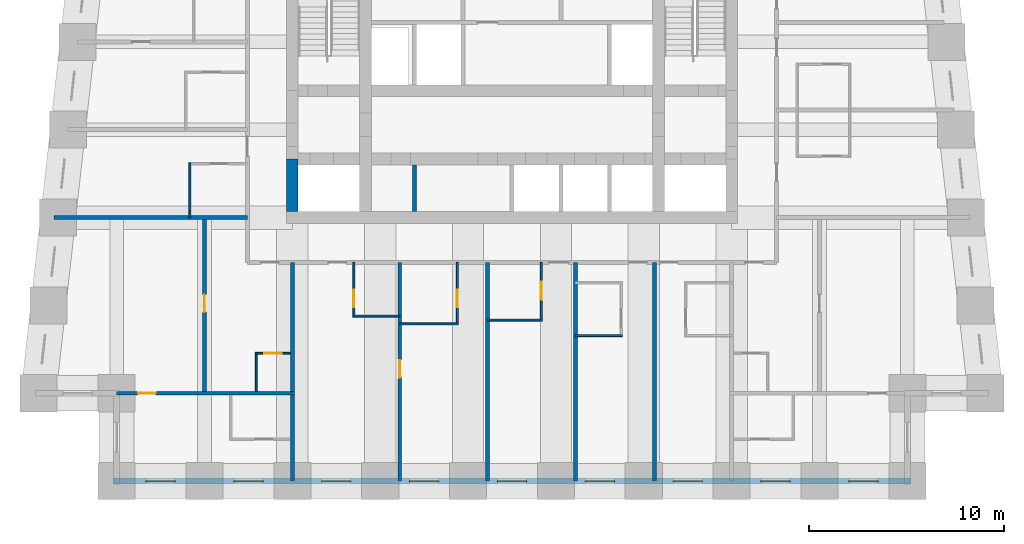
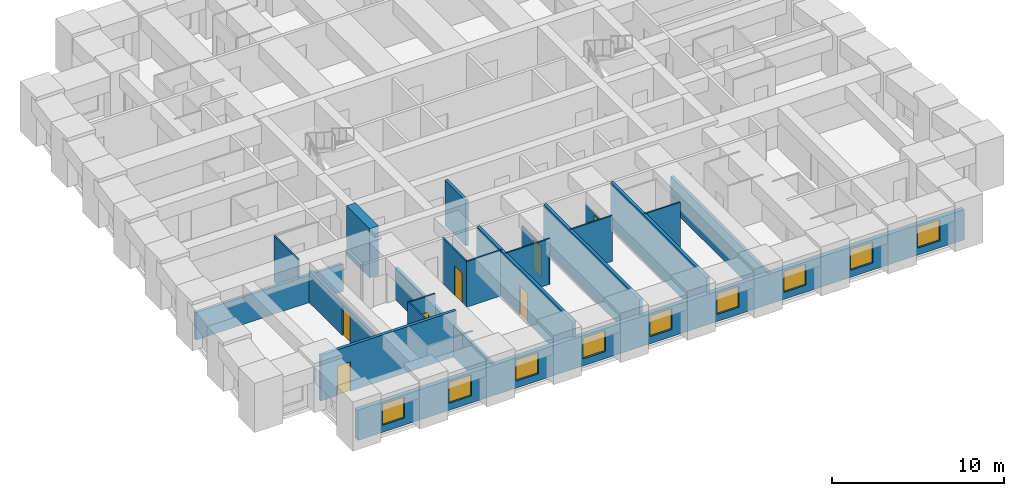
# One storey, part 2 of 8: 21 walls, 9 windows, 7 doors, 16 openings.
"""IFC4 building model written with IfcOpenShell, lengths in metres."""

from ifc_helpers import new_model, si_unit, direction, frame, frame_2d, origin, place, context, subcontext, project, spatial, rectangle, extrude, material, layer, layer_set, type_object, element, fill, save


model = new_model("IFC4")

# Units and contexts
model_context = context("Model", 3, precision=1e-05, world=origin(), true_north=direction((0.0, 1.0)))
body_context = subcontext(model_context, "Body", "Model", "MODEL_VIEW")
ifc_project = project(units=[si_unit("LENGTHUNIT", "METRE"), si_unit("AREAUNIT", "SQUARE_METRE"), si_unit("VOLUMEUNIT", "CUBIC_METRE"), si_unit("PLANEANGLEUNIT", "RADIAN"), si_unit("MASSUNIT", "GRAM", prefix="KILO")], contexts=[model_context])

# Site, building, storey
site_placement = place(None, origin())
site = spatial("IfcSite", under=ifc_project, at=site_placement, CompositionType="ELEMENT")
building_placement = place(site_placement, origin())
building = spatial("IfcBuilding", under=site, at=building_placement, Name="Kilele Tower Hotel", CompositionType="ELEMENT")
storey_placement = place(building_placement, frame((0.0, 0.0, 128.39990234375)))
storey = spatial("IfcBuildingStorey", under=building, at=storey_placement, Name="L33", CompositionType="ELEMENT", Elevation=128.39990234375)

# Wall
ifc_material_1 = material(Name="Moisture-resistant board")
ifc_layer_1 = layer(ifc_material_1, 0.10009765625)
ifc_layer_set_1 = layer_set([ifc_layer_1], Name="Moisture-resistant board")
wall_type_1 = type_object("IfcWallType", Name="Bathroom partition 100", PredefinedType="PLUMBINGWALL", material=ifc_layer_set_1)
wall_1_placement = place(storey_placement, frame((16.60009765625, 8.449951171875, 0.0), z_axis=(0.0, 0.0, 1.0), x_axis=(1.0, 0.0, 0.0)))
element("IfcWall", 1, at=wall_1_placement, inside=storey, type_object=wall_type_1, Name="Bathroom partition 100 L33", PredefinedType="PLUMBINGWALL", context=body_context, shape_type="SweptSolid", body=[
    extrude(rectangle(XDim=2.39990234375, YDim=0.10009765625, at=frame_2d((1.199951171875, 0.0))), origin(), (0.0, 0.0, 1.0), 3.25),
])

# Wall, opening, door
wall_2_placement = place(storey_placement, frame((16.64990234375, 11.199951171875, 0.0), z_axis=(0.0, 0.0, 1.0), x_axis=(0.0, -1.0, 0.0)))
wall_2 = element("IfcWall", 2, at=wall_2_placement, inside=storey, type_object=wall_type_1, Name="Bathroom partition 100 L33", PredefinedType="PLUMBINGWALL", context=body_context, shape_type="SweptSolid", body=[
    extrude(rectangle(XDim=2.800048828125, YDim=0.10009765625, at=frame_2d((1.39990234375, 0.0))), origin(), (0.0, 0.0, 1.0), 3.25),
])
opening_1_placement = place(wall_2_placement, frame((2.2998046875, 0.0, 0.0), z_axis=(0.0, 0.0, 1.0), x_axis=(-1.0, 0.0, 0.0)))
opening_1 = element("IfcOpeningElement", 3, at=opening_1_placement, cuts=wall_2, Name="Opening D2A", PredefinedType="OPENING", context=body_context, shape_type="SweptSolid", body=[
    extrude(rectangle(XDim=0.89990234375, YDim=2.10009765625, at=frame_2d((0.449951171875, 1.050048828125))), frame((0.0, 0.06005859375, 0.0), z_axis=(0.0, -1.0, 0.0), x_axis=(1.0, 0.0, 0.0)), (0.0, 0.0, 1.0), 0.1201171875),
])
ifc_material_2 = material(Name="Timber door leaf in hardwood frame", Category="wood")
door_type_1 = type_object("IfcDoorType", Name="Bathroom door 900", OperationType="SINGLE_SWING_LEFT", PredefinedType="DOOR", material=ifc_material_2)
door_1_placement = place(opening_1_placement, origin())
door_1 = element("IfcDoor", 4, at=door_1_placement, inside=storey, type_object=door_type_1, Name="Bathroom door 3301B", OperationType="SINGLE_SWING_RIGHT", OverallHeight=2.10009765625, OverallWidth=0.89990234375, PredefinedType="DOOR", context=body_context, shape_type="SweptSolid", body=[
    extrude(rectangle(XDim=0.89990234375, YDim=2.10009765625, at=frame_2d((0.449951171875, 1.050048828125))), frame((0.0, 0.02490234375, 0.0), z_axis=(0.0, -1.0, 0.0), x_axis=(1.0, 0.0, 0.0)), (0.0, 0.0, 1.0), 0.050048828125),
])
fill(opening_1, door_1)

# Wall
wall_3_placement = place(storey_placement, frame((19.0, 8.050048828125, 0.0), z_axis=(0.0, 0.0, 1.0), x_axis=(1.0, 0.0, 0.0)))
element("IfcWall", 5, at=wall_3_placement, inside=storey, type_object=wall_type_1, Name="Bathroom partition 100 L33", PredefinedType="PLUMBINGWALL", context=body_context, shape_type="SweptSolid", body=[
    extrude(rectangle(XDim=3.0, YDim=0.10009765625, at=frame_2d((1.5, 0.0))), origin(), (0.0, 0.0, 1.0), 3.25),
])

# Wall, opening, door
wall_4_placement = place(storey_placement, frame((21.949951171875, 11.199951171875, 0.0), z_axis=(0.0, 0.0, 1.0), x_axis=(0.0, -1.0, 0.0)))
wall_4 = element("IfcWall", 6, at=wall_4_placement, inside=storey, type_object=wall_type_1, Name="Bathroom partition 100 L33", PredefinedType="PLUMBINGWALL", context=body_context, shape_type="SweptSolid", body=[
    extrude(rectangle(XDim=3.199951171875, YDim=0.10009765625, at=frame_2d((1.60009765625, 0.0))), origin(), (0.0, 0.0, 1.0), 2.25),
])
opening_2_placement = place(wall_4_placement, frame((1.39990234375, 0.0, 0.0)))
opening_2 = element("IfcOpeningElement", 7, at=opening_2_placement, cuts=wall_4, Name="Opening D2A", PredefinedType="OPENING", context=body_context, shape_type="SweptSolid", body=[
    extrude(rectangle(XDim=0.89990234375, YDim=2.10009765625, at=frame_2d((0.449951171875, 1.050048828125))), frame((0.0, 0.06005859375, 0.0), z_axis=(0.0, -1.0, 0.0), x_axis=(1.0, 0.0, 0.0)), (0.0, 0.0, 1.0), 0.1201171875),
])
door_2_placement = place(opening_2_placement, origin())
door_2 = element("IfcDoor", 8, at=door_2_placement, inside=storey, type_object=door_type_1, Name="Bathroom door 3302B", OperationType="SINGLE_SWING_LEFT", OverallHeight=2.10009765625, OverallWidth=0.89990234375, PredefinedType="DOOR", context=body_context, shape_type="SweptSolid", body=[
    extrude(rectangle(XDim=0.89990234375, YDim=2.10009765625, at=frame_2d((0.449951171875, 1.050048828125))), frame((0.0, 0.02490234375, 0.0), z_axis=(0.0, -1.0, 0.0), x_axis=(1.0, 0.0, 0.0)), (0.0, 0.0, 1.0), 0.050048828125),
])
fill(opening_2, door_2)

# Wall
wall_5_placement = place(storey_placement, frame((23.5, 8.25, 0.0), z_axis=(0.0, 0.0, 1.0), x_axis=(1.0, 0.0, 0.0)))
element("IfcWall", 9, at=wall_5_placement, inside=storey, type_object=wall_type_1, Name="Bathroom partition 100 L33", PredefinedType="PLUMBINGWALL", context=body_context, shape_type="SweptSolid", body=[
    extrude(rectangle(XDim=2.800048828125, YDim=0.10009765625, at=frame_2d((1.39990234375, 0.0))), origin(), (0.0, 0.0, 1.0), 3.25),
])

# Wall, opening, door
wall_6_placement = place(storey_placement, frame((26.25, 11.199951171875, 0.0), z_axis=(0.0, 0.0, 1.0), x_axis=(0.0, -1.0, 0.0)))
wall_6 = element("IfcWall", 10, at=wall_6_placement, inside=storey, type_object=wall_type_1, Name="Bathroom partition 100 L33", PredefinedType="PLUMBINGWALL", context=body_context, shape_type="SweptSolid", body=[
    extrude(rectangle(XDim=3.0, YDim=0.10009765625, at=frame_2d((1.5, 0.0))), origin(), (0.0, 0.0, 1.0), 2.25),
])
opening_3_placement = place(wall_6_placement, frame((1.0, 0.0, 0.0)))
opening_3 = element("IfcOpeningElement", 11, at=opening_3_placement, cuts=wall_6, Name="Opening D2A", PredefinedType="OPENING", context=body_context, shape_type="SweptSolid", body=[
    extrude(rectangle(XDim=0.89990234375, YDim=2.10009765625, at=frame_2d((0.449951171875, 1.050048828125))), frame((0.0, 0.06005859375, 0.0), z_axis=(0.0, -1.0, 0.0), x_axis=(1.0, 0.0, 0.0)), (0.0, 0.0, 1.0), 0.1201171875),
])
door_3_placement = place(opening_3_placement, origin())
door_3 = element("IfcDoor", 12, at=door_3_placement, inside=storey, type_object=door_type_1, Name="Bathroom door 3303B", OperationType="SINGLE_SWING_LEFT", OverallHeight=2.10009765625, OverallWidth=0.89990234375, PredefinedType="DOOR", context=body_context, shape_type="SweptSolid", body=[
    extrude(rectangle(XDim=0.89990234375, YDim=2.10009765625, at=frame_2d((0.449951171875, 1.050048828125))), frame((0.0, 0.02490234375, 0.0), z_axis=(0.0, -1.0, 0.0), x_axis=(1.0, 0.0, 0.0)), (0.0, 0.0, 1.0), 0.050048828125),
])
fill(opening_3, door_3)

# Walls
wall_7_placement = place(storey_placement, frame((28.0, 7.449951171875, 0.0), z_axis=(0.0, 0.0, 1.0), x_axis=(1.0, 0.0, 0.0)))
element("IfcWall", 13, at=wall_7_placement, inside=storey, type_object=wall_type_1, Name="Bathroom partition 100 L33", PredefinedType="PLUMBINGWALL", context=body_context, shape_type="SweptSolid", body=[
    extrude(rectangle(XDim=2.39990234375, YDim=0.10009765625, at=frame_2d((1.199951171875, 0.0))), origin(), (0.0, 0.0, 1.0), 3.25),
])
wall_8_placement = place(storey_placement, frame((8.25, 13.5, 0.0), z_axis=(0.0, 0.0, 1.0), x_axis=(0.0, 1.0, 0.0)))
element("IfcWall", 14, at=wall_8_placement, inside=storey, type_object=wall_type_1, Name="Bathroom partition 100 L33", PredefinedType="PLUMBINGWALL", context=body_context, shape_type="SweptSolid", body=[
    extrude(rectangle(XDim=2.800048828125, YDim=0.10009765625, at=frame_2d((1.39990234375, 0.0))), origin(), (0.0, 0.0, 1.0), 3.25),
])
wall_9_placement = place(storey_placement, frame((11.64990234375, 4.60009765625, 0.0), z_axis=(0.0, 0.0, 1.0), x_axis=(0.0, 1.0, 0.0)))
element("IfcWall", 15, at=wall_9_placement, inside=storey, type_object=wall_type_1, Name="Bathroom partition 100 L33", PredefinedType="PLUMBINGWALL", context=body_context, shape_type="SweptSolid", body=[
    extrude(rectangle(XDim=2.0, YDim=0.10009765625, at=frame_2d((1.0, 0.0))), origin(), (0.0, 0.0, 1.0), 3.25),
])

# Wall, opening, door
wall_10_placement = place(storey_placement, frame((13.39990234375, 6.550048828125, 0.0), z_axis=(0.0, 0.0, 1.0), x_axis=(-1.0, 0.0, 0.0)))
wall_10 = element("IfcWall", 16, at=wall_10_placement, inside=storey, type_object=wall_type_1, Name="Bathroom partition 100 L33", PredefinedType="PLUMBINGWALL", context=body_context, shape_type="SweptSolid", body=[
    extrude(rectangle(XDim=1.7998046875, YDim=0.10009765625, at=frame_2d((0.89990234375, 0.0))), origin(), (0.0, 0.0, 1.0), 3.25),
])
opening_4_placement = place(wall_10_placement, frame((1.349853515625, 0.0, 0.0), z_axis=(0.0, 0.0, 1.0), x_axis=(-1.0, 0.0, 0.0)))
opening_4 = element("IfcOpeningElement", 17, at=opening_4_placement, cuts=wall_10, Name="Opening D2A", PredefinedType="OPENING", context=body_context, shape_type="SweptSolid", body=[
    extrude(rectangle(XDim=0.89990234375, YDim=2.10009765625, at=frame_2d((0.449951171875, 1.050048828125))), frame((0.0, 0.06005859375, 0.0), z_axis=(0.0, -1.0, 0.0), x_axis=(1.0, 0.0, 0.0)), (0.0, 0.0, 1.0), 0.1201171875),
])
door_4_placement = place(opening_4_placement, origin())
door_4 = element("IfcDoor", 18, at=door_4_placement, inside=storey, type_object=door_type_1, Name="Bathroom door 3317P", OperationType="SINGLE_SWING_RIGHT", OverallHeight=2.10009765625, OverallWidth=0.89990234375, PredefinedType="DOOR", context=body_context, shape_type="SweptSolid", body=[
    extrude(rectangle(XDim=0.89990234375, YDim=2.10009765625, at=frame_2d((0.449951171875, 1.050048828125))), frame((0.0, 0.02490234375, 0.0), z_axis=(0.0, -1.0, 0.0), x_axis=(1.0, 0.0, 0.0)), (0.0, 0.0, 1.0), 0.050048828125),
])
fill(opening_4, door_4)

# Wall
ifc_material_3 = material(Name="Concrete C60/75", Category="concrete")
ifc_layer_2 = layer(ifc_material_3, 0.60009765625)
ifc_layer_set_2 = layer_set([ifc_layer_2], Name="Concrete C60/75")
wall_type_2 = type_object("IfcWallType", Name="Core wall 600 C60/75", PredefinedType="SHEAR", material=ifc_layer_set_2)
wall_11_placement = place(storey_placement, frame((13.5, 16.5, 0.0), z_axis=(0.0, 0.0, 1.0), x_axis=(0.0, -1.0, 0.0)))
element("IfcWall", 19, at=wall_11_placement, inside=storey, type_object=wall_type_2, Name="Core wall W3 L33", PredefinedType="SHEAR", context=body_context, shape_type="SweptSolid", body=[
    extrude(rectangle(XDim=2.699951171875, YDim=0.60009765625, at=frame_2d((1.35009765625, 0.0))), origin(), (0.0, 0.0, 1.0), 3.5),
])

# Wall, opening, door
ifc_material_4 = material(Name="Blockwork, plastered both sides", Category="masonry")
ifc_layer_3 = layer(ifc_material_4, 0.199951171875)
ifc_layer_set_3 = layer_set([ifc_layer_3], Name="Blockwork, plastered both sides")
wall_type_3 = type_object("IfcWallType", Name="Partition wall 200", PredefinedType="PARTITIONING", material=ifc_layer_set_3)
wall_12_placement = place(storey_placement, frame((9.0, 4.60009765625, 0.0), z_axis=(0.0, 0.0, 1.0), x_axis=(0.0, 1.0, 0.0)))
wall_12 = element("IfcWall", 20, at=wall_12_placement, inside=storey, type_object=wall_type_3, Name="Partition wall 200 L33", PredefinedType="PARTITIONING", context=body_context, shape_type="SweptSolid", body=[
    extrude(rectangle(XDim=8.7998046875, YDim=0.199951171875, at=frame_2d((4.39990234375, 0.0))), origin(), (0.0, 0.0, 1.0), 2.25),
])
opening_5_placement = place(wall_12_placement, frame((4.050048828125, 0.0, 0.0)))
opening_5 = element("IfcOpeningElement", 21, at=opening_5_placement, cuts=wall_12, Name="Opening D3", PredefinedType="OPENING", context=body_context, shape_type="SweptSolid", body=[
    extrude(rectangle(XDim=0.89990234375, YDim=2.10009765625, at=frame_2d((0.449951171875, 1.050048828125))), frame((0.0, 0.10986328125, 0.0), z_axis=(0.0, -1.0, 0.0), x_axis=(1.0, 0.0, 0.0)), (0.0, 0.0, 1.0), 0.219970703125),
])
ifc_material_5 = material(Name="Timber door leaf in hardwood frame", Category="wood")
door_type_2 = type_object("IfcDoorType", Name="Suite internal door 900", OperationType="SINGLE_SWING_LEFT", PredefinedType="DOOR", material=ifc_material_5)
door_5_placement = place(opening_5_placement, origin())
door_5 = element("IfcDoor", 22, at=door_5_placement, inside=storey, type_object=door_type_2, Name="Suite door 3318", OperationType="SINGLE_SWING_RIGHT", OverallHeight=2.10009765625, OverallWidth=0.89990234375, PredefinedType="DOOR", context=body_context, shape_type="SweptSolid", body=[
    extrude(rectangle(XDim=0.89990234375, YDim=2.10009765625, at=frame_2d((0.449951171875, 1.050048828125))), frame((0.0, 0.02490234375, 0.0), z_axis=(0.0, -1.0, 0.0), x_axis=(1.0, 0.0, 0.0)), (0.0, 0.0, 1.0), 0.050048828125),
])
fill(opening_5, door_5)

ifc_material_6 = material(Name="Blockwork, plastered both sides", Category="masonry")
ifc_layer_4 = layer(ifc_material_6, 0.199951171875)
ifc_layer_set_4 = layer_set([ifc_layer_4], Name="Blockwork, plastered both sides")
wall_type_4 = type_object("IfcWallType", Name="Party wall 200", PredefinedType="PARTITIONING", material=ifc_layer_set_4)
wall_13_placement = place(storey_placement, frame((19.0, 11.199951171875, 0.0), z_axis=(0.0, 0.0, 1.0), x_axis=(0.0, -1.0, 0.0)))
wall_13 = element("IfcWall", 23, at=wall_13_placement, inside=storey, type_object=wall_type_4, Name="Party wall 200 L33", PredefinedType="PARTITIONING", context=body_context, shape_type="SweptSolid", body=[
    extrude(rectangle(XDim=11.199951171875, YDim=0.199951171875, at=frame_2d((5.60009765625, 0.0))), origin(), (0.0, 0.0, 1.0), 3.25),
])
opening_6_placement = place(wall_13_placement, frame((5.0, 0.0, 0.0)))
opening_6 = element("IfcOpeningElement", 24, at=opening_6_placement, cuts=wall_13, Name="Opening D3", PredefinedType="OPENING", context=body_context, shape_type="SweptSolid", body=[
    extrude(rectangle(XDim=0.89990234375, YDim=2.10009765625, at=frame_2d((0.449951171875, 1.050048828125))), frame((0.0, 0.10986328125, 0.0), z_axis=(0.0, -1.0, 0.0), x_axis=(1.0, 0.0, 0.0)), (0.0, 0.0, 1.0), 0.219970703125),
])
door_6_placement = place(opening_6_placement, origin())
door_6 = element("IfcDoor", 25, at=door_6_placement, inside=storey, type_object=door_type_2, Name="Suite door 3302", OperationType="SINGLE_SWING_LEFT", OverallHeight=2.10009765625, OverallWidth=0.89990234375, PredefinedType="DOOR", context=body_context, shape_type="SweptSolid", body=[
    extrude(rectangle(XDim=0.89990234375, YDim=2.10009765625, at=frame_2d((0.449951171875, 1.050048828125))), frame((0.0, 0.02490234375, 0.0), z_axis=(0.0, -1.0, 0.0), x_axis=(1.0, 0.0, 0.0)), (0.0, 0.0, 1.0), 0.050048828125),
])
fill(opening_6, door_6)

# Walls
for number, where, z_axis, x_axis, name in (
    (26, (23.5, 11.199951171875, 0.0), (0.0, 0.0, 1.0), (0.0, -1.0, 0.0), "Party wall 200 L33"),
    (27, (28.0, 11.199951171875, 0.0), (0.0, 0.0, 1.0), (0.0, -1.0, 0.0), "Party wall 200 L33"),
):
    element("IfcWall", number, at=place(storey_placement, frame(where, z_axis=z_axis, x_axis=x_axis)), inside=storey, type_object=wall_type_4, Name=name, PredefinedType="PARTITIONING", context=body_context, shape_type="SweptSolid", body=[
        extrude(rectangle(XDim=11.199951171875, YDim=0.199951171875, at=frame_2d((5.60009765625, 0.0))), origin(), (0.0, 0.0, 1.0), 3.25),
    ])
wall_14_placement = place(storey_placement, frame((32.050048828125, 11.199951171875, 0.0), z_axis=(0.0, 0.0, 1.0), x_axis=(0.0, -1.0, 0.0)))
element("IfcWall", 28, at=wall_14_placement, inside=storey, type_object=wall_type_4, Name="Party wall 200 L33", PredefinedType="PARTITIONING", context=body_context, shape_type="SweptSolid", body=[
    extrude(rectangle(XDim=11.199951171875, YDim=0.199951171875, at=frame_2d((5.60009765625, 0.0))), origin(), (0.0, 0.0, 1.0), 2.25),
])
wall_15_placement = place(storey_placement, frame((11.199951171875, 13.5, 0.0), z_axis=(0.0, 0.0, 1.0), x_axis=(-1.0, 0.0, 0.0)))
element("IfcWall", 29, at=wall_15_placement, inside=storey, type_object=wall_type_4, Name="Party wall 200 L33", PredefinedType="PARTITIONING", context=body_context, shape_type="SweptSolid", body=[
    extrude(rectangle(XDim=9.921142578125, YDim=0.199951171875, at=frame_2d((4.96044921875, 0.0))), origin(), (0.0, 0.0, 1.0), 1.9501953125),
])
wall_16_placement = place(storey_placement, frame((13.5, 11.199951171875, 0.0), z_axis=(0.0, 0.0, 1.0), x_axis=(0.0, -1.0, 0.0)))
element("IfcWall", 30, at=wall_16_placement, inside=storey, type_object=wall_type_4, Name="Party wall 200 L33", PredefinedType="PARTITIONING", context=body_context, shape_type="SweptSolid", body=[
    extrude(rectangle(XDim=11.199951171875, YDim=0.199951171875, at=frame_2d((5.60009765625, 0.0))), origin(), (0.0, 0.0, 1.0), 2.25),
])

# Wall, opening, door
wall_17_placement = place(storey_placement, frame((13.60009765625, 4.5, 0.0), z_axis=(0.0, 0.0, 1.0), x_axis=(-1.0, 0.0, 0.0)))
wall_17 = element("IfcWall", 31, at=wall_17_placement, inside=storey, type_object=wall_type_4, Name="Party wall 200 L33", PredefinedType="PARTITIONING", context=body_context, shape_type="SweptSolid", body=[
    extrude(rectangle(XDim=9.10009765625, YDim=0.199951171875, at=frame_2d((4.550048828125, 0.0))), origin(), (0.0, 0.0, 1.0), 3.25),
])
opening_7_placement = place(wall_17_placement, frame((7.10009765625, 0.0, 0.0)))
opening_7 = element("IfcOpeningElement", 32, at=opening_7_placement, cuts=wall_17, Name="Opening D3", PredefinedType="OPENING", context=body_context, shape_type="SweptSolid", body=[
    extrude(rectangle(XDim=0.89990234375, YDim=2.10009765625, at=frame_2d((0.449951171875, 1.050048828125))), frame((0.0, 0.10986328125, 0.0), z_axis=(0.0, -1.0, 0.0), x_axis=(1.0, 0.0, 0.0)), (0.0, 0.0, 1.0), 0.219970703125),
])
door_7_placement = place(opening_7_placement, origin())
door_7 = element("IfcDoor", 33, at=door_7_placement, inside=storey, type_object=door_type_2, Name="Suite door 3319", OperationType="SINGLE_SWING_RIGHT", OverallHeight=2.10009765625, OverallWidth=0.89990234375, PredefinedType="DOOR", context=body_context, shape_type="SweptSolid", body=[
    extrude(rectangle(XDim=0.89990234375, YDim=2.10009765625, at=frame_2d((0.449951171875, 1.050048828125))), frame((0.0, 0.02490234375, 0.0), z_axis=(0.0, -1.0, 0.0), x_axis=(1.0, 0.0, 0.0)), (0.0, 0.0, 1.0), 0.050048828125),
])
fill(opening_7, door_7)

# Wall, openings, windows
ifc_material_7 = material(Name="Concrete C40/50 precast", Category="concrete")
ifc_layer_5 = layer(ifc_material_7, 0.260009765625, Name="Precast backing", Category="LoadBearing")
ifc_material_8 = material(Name="Reconstituted stone finish", Category="masonry")
ifc_layer_6 = layer(ifc_material_8, 0.0400390625, Name="Face mix", Category="Finish")
ifc_layer_set_5 = layer_set([ifc_layer_5, ifc_layer_6], Name="Precast concrete C40/50, reconstituted stone finish")
wall_type_5 = type_object("IfcWallType", Name="Precast stone facade wall 300", PredefinedType="STANDARD", material=ifc_layer_set_5)
wall_18_placement = place(storey_placement, frame((4.35009765625, 0.0, 0.0), z_axis=(0.0, 0.0, 1.0), x_axis=(1.0, 0.0, 0.0)))
wall_18 = element("IfcWall", 34, at=wall_18_placement, inside=storey, type_object=wall_type_5, Name="Facade wall L33 edge 3", PredefinedType="STANDARD", context=body_context, shape_type="SweptSolid", body=[
    extrude(rectangle(XDim=40.7998046875, YDim=0.300048828125, at=frame_2d((20.39990234375, 0.0))), origin(), (0.0, 0.0, 1.0), 2.150146484375),
])
opening_8_placement = place(wall_18_placement, frame((1.64990234375, 0.0, 0.5)))
opening_8 = element("IfcOpeningElement", 35, at=opening_8_placement, cuts=wall_18, Name="Opening W2", PredefinedType="OPENING", context=body_context, shape_type="SweptSolid", body=[
    extrude(rectangle(XDim=1.5, YDim=1.5, at=frame_2d((0.75, 0.75))), frame((0.0, 0.159912109375, 0.0), z_axis=(0.0, -1.0, 0.0), x_axis=(1.0, 0.0, 0.0)), (0.0, 0.0, 1.0), 0.320068359375),
])
opening_9_placement = place(wall_18_placement, frame((6.14990234375, 0.0, 0.5)))
opening_9 = element("IfcOpeningElement", 36, at=opening_9_placement, cuts=wall_18, Name="Opening W2", PredefinedType="OPENING", context=body_context, shape_type="SweptSolid", body=[
    extrude(rectangle(XDim=1.5, YDim=1.5, at=frame_2d((0.75, 0.75))), frame((0.0, 0.159912109375, 0.0), z_axis=(0.0, -1.0, 0.0), x_axis=(1.0, 0.0, 0.0)), (0.0, 0.0, 1.0), 0.320068359375),
])
opening_10_placement = place(wall_18_placement, frame((10.64990234375, 0.0, 0.5)))
opening_10 = element("IfcOpeningElement", 37, at=opening_10_placement, cuts=wall_18, Name="Opening W2", PredefinedType="OPENING", context=body_context, shape_type="SweptSolid", body=[
    extrude(rectangle(XDim=1.5, YDim=1.5, at=frame_2d((0.75, 0.75))), frame((0.0, 0.159912109375, 0.0), z_axis=(0.0, -1.0, 0.0), x_axis=(1.0, 0.0, 0.0)), (0.0, 0.0, 1.0), 0.320068359375),
])
opening_11_placement = place(wall_18_placement, frame((15.14990234375, 0.0, 0.5)))
opening_11 = element("IfcOpeningElement", 38, at=opening_11_placement, cuts=wall_18, Name="Opening W2", PredefinedType="OPENING", context=body_context, shape_type="SweptSolid", body=[
    extrude(rectangle(XDim=1.5, YDim=1.5, at=frame_2d((0.75, 0.75))), frame((0.0, 0.159912109375, 0.0), z_axis=(0.0, -1.0, 0.0), x_axis=(1.0, 0.0, 0.0)), (0.0, 0.0, 1.0), 0.320068359375),
])
opening_12_placement = place(wall_18_placement, frame((19.64990234375, 0.0, 0.5)))
opening_12 = element("IfcOpeningElement", 39, at=opening_12_placement, cuts=wall_18, Name="Opening W2", PredefinedType="OPENING", context=body_context, shape_type="SweptSolid", body=[
    extrude(rectangle(XDim=1.5, YDim=1.5, at=frame_2d((0.75, 0.75))), frame((0.0, 0.159912109375, 0.0), z_axis=(0.0, -1.0, 0.0), x_axis=(1.0, 0.0, 0.0)), (0.0, 0.0, 1.0), 0.320068359375),
])
opening_13_placement = place(wall_18_placement, frame((24.14990234375, 0.0, 0.5)))
opening_13 = element("IfcOpeningElement", 40, at=opening_13_placement, cuts=wall_18, Name="Opening W2", PredefinedType="OPENING", context=body_context, shape_type="SweptSolid", body=[
    extrude(rectangle(XDim=1.5, YDim=1.5, at=frame_2d((0.75, 0.75))), frame((0.0, 0.159912109375, 0.0), z_axis=(0.0, -1.0, 0.0), x_axis=(1.0, 0.0, 0.0)), (0.0, 0.0, 1.0), 0.320068359375),
])
opening_14_placement = place(wall_18_placement, frame((28.64990234375, 0.0, 0.5)))
opening_14 = element("IfcOpeningElement", 41, at=opening_14_placement, cuts=wall_18, Name="Opening W2", PredefinedType="OPENING", context=body_context, shape_type="SweptSolid", body=[
    extrude(rectangle(XDim=1.5, YDim=1.5, at=frame_2d((0.75, 0.75))), frame((0.0, 0.159912109375, 0.0), z_axis=(0.0, -1.0, 0.0), x_axis=(1.0, 0.0, 0.0)), (0.0, 0.0, 1.0), 0.320068359375),
])
opening_15_placement = place(wall_18_placement, frame((33.14990234375, 0.0, 0.5)))
opening_15 = element("IfcOpeningElement", 42, at=opening_15_placement, cuts=wall_18, Name="Opening W2", PredefinedType="OPENING", context=body_context, shape_type="SweptSolid", body=[
    extrude(rectangle(XDim=1.5, YDim=1.5, at=frame_2d((0.75, 0.75))), frame((0.0, 0.159912109375, 0.0), z_axis=(0.0, -1.0, 0.0), x_axis=(1.0, 0.0, 0.0)), (0.0, 0.0, 1.0), 0.320068359375),
])
opening_16_placement = place(wall_18_placement, frame((37.64990234375, 0.0, 0.5)))
opening_16 = element("IfcOpeningElement", 43, at=opening_16_placement, cuts=wall_18, Name="Opening W2", PredefinedType="OPENING", context=body_context, shape_type="SweptSolid", body=[
    extrude(rectangle(XDim=1.5, YDim=1.5, at=frame_2d((0.75, 0.75))), frame((0.0, 0.159912109375, 0.0), z_axis=(0.0, -1.0, 0.0), x_axis=(1.0, 0.0, 0.0)), (0.0, 0.0, 1.0), 0.320068359375),
])
ifc_material_9 = material(Name="Aluminium frame, clear double glazing", Category="aluminium")
window_type = type_object("IfcWindowType", Name="Window W2 1500 x 1500", PartitioningType="SINGLE_PANEL", PredefinedType="WINDOW", material=ifc_material_9)
window_1_placement = place(opening_8_placement, origin())
window_1 = element("IfcWindow", 44, at=window_1_placement, inside=storey, type_object=window_type, Name="Window L33", OverallHeight=1.5, OverallWidth=1.5, PartitioningType="SINGLE_PANEL", PredefinedType="WINDOW", context=body_context, shape_type="SweptSolid", body=[
    extrude(rectangle(XDim=1.5, YDim=1.5, at=frame_2d((0.75, 0.75))), frame((0.0, 0.030029296875, 0.0), z_axis=(0.0, -1.0, 0.0), x_axis=(1.0, 0.0, 0.0)), (0.0, 0.0, 1.0), 0.06005859375),
])
fill(opening_8, window_1)
window_2_placement = place(opening_9_placement, origin())
window_2 = element("IfcWindow", 45, at=window_2_placement, inside=storey, type_object=window_type, Name="Window L33", OverallHeight=1.5, OverallWidth=1.5, PartitioningType="SINGLE_PANEL", PredefinedType="WINDOW", context=body_context, shape_type="SweptSolid", body=[
    extrude(rectangle(XDim=1.5, YDim=1.5, at=frame_2d((0.75, 0.75))), frame((0.0, 0.030029296875, 0.0), z_axis=(0.0, -1.0, 0.0), x_axis=(1.0, 0.0, 0.0)), (0.0, 0.0, 1.0), 0.06005859375),
])
fill(opening_9, window_2)
window_3_placement = place(opening_10_placement, origin())
window_3 = element("IfcWindow", 46, at=window_3_placement, inside=storey, type_object=window_type, Name="Window L33", OverallHeight=1.5, OverallWidth=1.5, PartitioningType="SINGLE_PANEL", PredefinedType="WINDOW", context=body_context, shape_type="SweptSolid", body=[
    extrude(rectangle(XDim=1.5, YDim=1.5, at=frame_2d((0.75, 0.75))), frame((0.0, 0.030029296875, 0.0), z_axis=(0.0, -1.0, 0.0), x_axis=(1.0, 0.0, 0.0)), (0.0, 0.0, 1.0), 0.06005859375),
])
fill(opening_10, window_3)
window_4_placement = place(opening_11_placement, origin())
window_4 = element("IfcWindow", 47, at=window_4_placement, inside=storey, type_object=window_type, Name="Window L33", OverallHeight=1.5, OverallWidth=1.5, PartitioningType="SINGLE_PANEL", PredefinedType="WINDOW", context=body_context, shape_type="SweptSolid", body=[
    extrude(rectangle(XDim=1.5, YDim=1.5, at=frame_2d((0.75, 0.75))), frame((0.0, 0.030029296875, 0.0), z_axis=(0.0, -1.0, 0.0), x_axis=(1.0, 0.0, 0.0)), (0.0, 0.0, 1.0), 0.06005859375),
])
fill(opening_11, window_4)
window_5_placement = place(opening_12_placement, origin())
window_5 = element("IfcWindow", 48, at=window_5_placement, inside=storey, type_object=window_type, Name="Window L33", OverallHeight=1.5, OverallWidth=1.5, PartitioningType="SINGLE_PANEL", PredefinedType="WINDOW", context=body_context, shape_type="SweptSolid", body=[
    extrude(rectangle(XDim=1.5, YDim=1.5, at=frame_2d((0.75, 0.75))), frame((0.0, 0.030029296875, 0.0), z_axis=(0.0, -1.0, 0.0), x_axis=(1.0, 0.0, 0.0)), (0.0, 0.0, 1.0), 0.06005859375),
])
fill(opening_12, window_5)
window_6_placement = place(opening_13_placement, origin())
window_6 = element("IfcWindow", 49, at=window_6_placement, inside=storey, type_object=window_type, Name="Window L33", OverallHeight=1.5, OverallWidth=1.5, PartitioningType="SINGLE_PANEL", PredefinedType="WINDOW", context=body_context, shape_type="SweptSolid", body=[
    extrude(rectangle(XDim=1.5, YDim=1.5, at=frame_2d((0.75, 0.75))), frame((0.0, 0.030029296875, 0.0), z_axis=(0.0, -1.0, 0.0), x_axis=(1.0, 0.0, 0.0)), (0.0, 0.0, 1.0), 0.06005859375),
])
fill(opening_13, window_6)
window_7_placement = place(opening_14_placement, origin())
window_7 = element("IfcWindow", 50, at=window_7_placement, inside=storey, type_object=window_type, Name="Window L33", OverallHeight=1.5, OverallWidth=1.5, PartitioningType="SINGLE_PANEL", PredefinedType="WINDOW", context=body_context, shape_type="SweptSolid", body=[
    extrude(rectangle(XDim=1.5, YDim=1.5, at=frame_2d((0.75, 0.75))), frame((0.0, 0.030029296875, 0.0), z_axis=(0.0, -1.0, 0.0), x_axis=(1.0, 0.0, 0.0)), (0.0, 0.0, 1.0), 0.06005859375),
])
fill(opening_14, window_7)
window_8_placement = place(opening_15_placement, origin())
window_8 = element("IfcWindow", 51, at=window_8_placement, inside=storey, type_object=window_type, Name="Window L33", OverallHeight=1.5, OverallWidth=1.5, PartitioningType="SINGLE_PANEL", PredefinedType="WINDOW", context=body_context, shape_type="SweptSolid", body=[
    extrude(rectangle(XDim=1.5, YDim=1.5, at=frame_2d((0.75, 0.75))), frame((0.0, 0.030029296875, 0.0), z_axis=(0.0, -1.0, 0.0), x_axis=(1.0, 0.0, 0.0)), (0.0, 0.0, 1.0), 0.06005859375),
])
fill(opening_15, window_8)
window_9_placement = place(opening_16_placement, origin())
window_9 = element("IfcWindow", 52, at=window_9_placement, inside=storey, type_object=window_type, Name="Window L33", OverallHeight=1.5, OverallWidth=1.5, PartitioningType="SINGLE_PANEL", PredefinedType="WINDOW", context=body_context, shape_type="SweptSolid", body=[
    extrude(rectangle(XDim=1.5, YDim=1.5, at=frame_2d((0.75, 0.75))), frame((0.0, 0.030029296875, 0.0), z_axis=(0.0, -1.0, 0.0), x_axis=(1.0, 0.0, 0.0)), (0.0, 0.0, 1.0), 0.06005859375),
])
fill(opening_16, window_9)

# Wall
ifc_material_10 = material(Name="Blockwork, fire-rated", Category="masonry")
ifc_layer_7 = layer(ifc_material_10, 0.199951171875)
ifc_layer_set_6 = layer_set([ifc_layer_7], Name="Blockwork, fire-rated")
wall_type_6 = type_object("IfcWallType", Name="Shaft wall 200", PredefinedType="PARTITIONING", material=ifc_layer_set_6)
wall_19_placement = place(storey_placement, frame((19.75, 13.800048828125, 0.0), z_axis=(0.0, 0.0, 1.0), x_axis=(0.0, 1.0, 0.0)))
element("IfcWall", 53, at=wall_19_placement, inside=storey, type_object=wall_type_6, Name="Shaft wall 200 L33", PredefinedType="PARTITIONING", context=body_context, shape_type="SweptSolid", body=[
    extrude(rectangle(XDim=2.39990234375, YDim=0.199951171875, at=frame_2d((1.199951171875, 0.0))), origin(), (0.0, 0.0, 1.0), 3.25),
])

save(model, "model.ifc")
